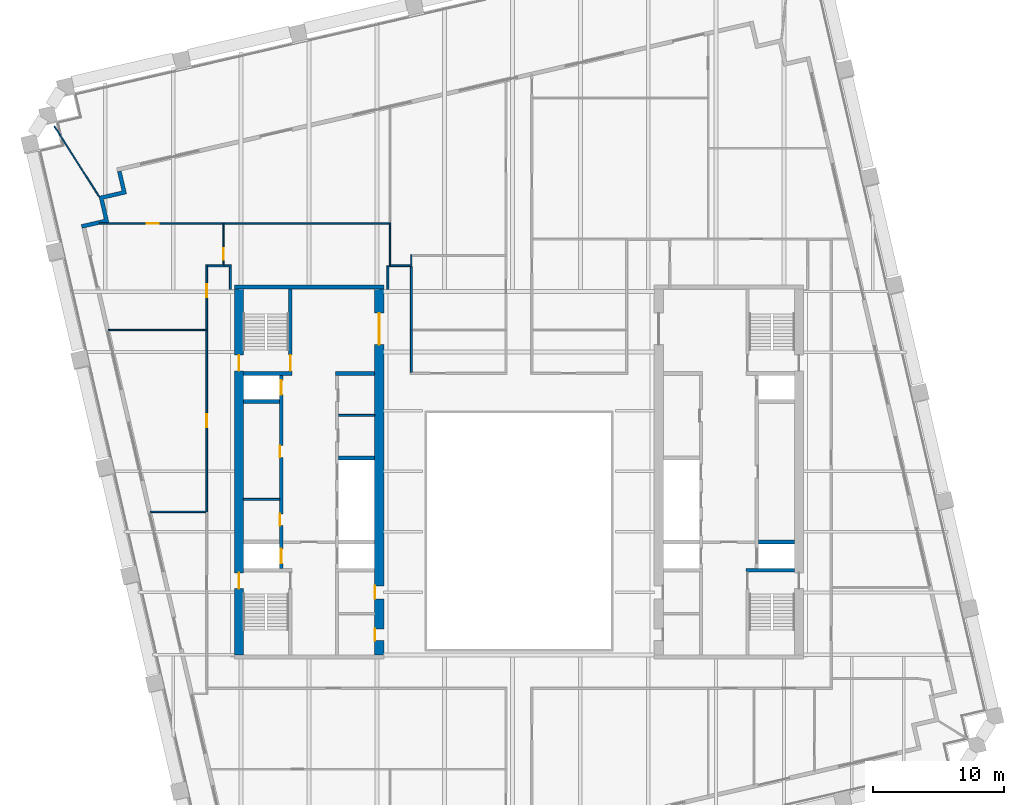
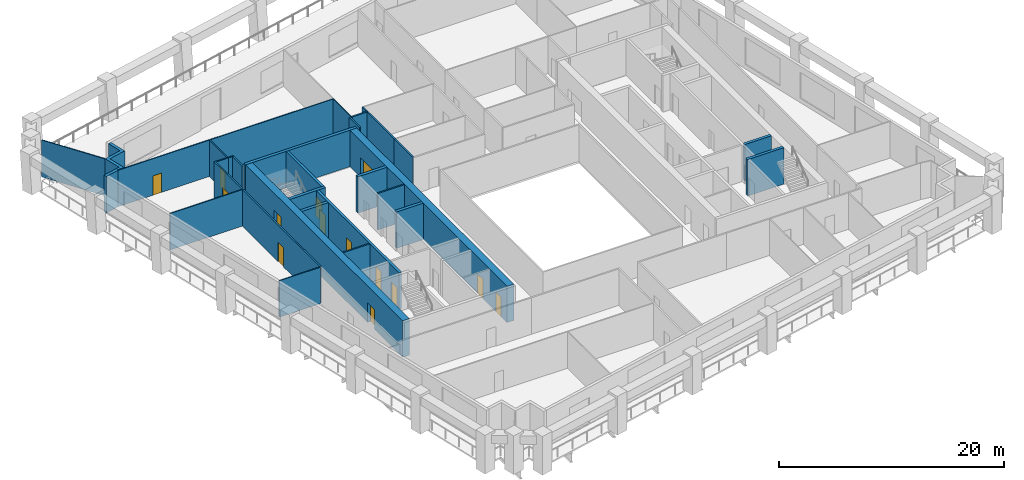
# One storey, part 6 of 11: 31 walls, 14 doors, 14 openings.
"""IFC4 building model written with IfcOpenShell, lengths in metres."""

from ifc_helpers import new_model, si_unit, direction, frame, frame_2d, origin, place, context, subcontext, project, spatial, polyline, rectangle, outline, extrude, material, layer, layer_set, type_object, element, fill, save


model = new_model("IFC4")

# Units and contexts
model_context = context("Model", 3, precision=1e-05, world=origin(), true_north=direction((0.0, 1.0)))
body_context = subcontext(model_context, "Body", "Model", "MODEL_VIEW")
ifc_project = project(units=[si_unit("LENGTHUNIT", "METRE"), si_unit("AREAUNIT", "SQUARE_METRE"), si_unit("VOLUMEUNIT", "CUBIC_METRE"), si_unit("PLANEANGLEUNIT", "RADIAN"), si_unit("MASSUNIT", "GRAM", prefix="KILO")], contexts=[model_context])

# Site, building, storey
site_placement = place(None, origin())
site = spatial("IfcSite", under=ifc_project, at=site_placement, CompositionType="ELEMENT")
building_placement = place(site_placement, origin())
building = spatial("IfcBuilding", under=site, at=building_placement, Name="Ogive Exchange Tower", CompositionType="ELEMENT")
storey_placement = place(building_placement, frame((0.0, 0.0, 217.800048828125)))
storey = spatial("IfcBuildingStorey", under=building, at=storey_placement, Name="L48", CompositionType="ELEMENT", Elevation=217.800048828125)

# Walls
ifc_material_1 = material(Name="Gypsum board partition")
ifc_layer_1 = layer(ifc_material_1, 0.14990234375)
ifc_layer_set_1 = layer_set([ifc_layer_1], Name="Core room partition 150 gypsum")
wall_type_1 = type_object("IfcWallType", Name="Core room partition 150 gypsum", PredefinedType="PARTITIONING", material=ifc_layer_set_1)
for number, where, z_axis, x_axis, name in (
    (1, (-21.0, 9.39990234375, 0.0), (0.0, 0.0, 1.0), (1.0, 0.0, 0.0), "W row A bay partition 1-1"),
    (2, (-13.75, 15.800048828125, 0.0), (0.0, 0.0, 1.0), (1.0, 0.0, 0.0), "W row B bay partition 4-1"),
):
    element("IfcWall", number, at=place(storey_placement, frame(where, z_axis=z_axis, x_axis=x_axis)), inside=storey, type_object=wall_type_1, Name=name, PredefinedType="PARTITIONING", context=body_context, shape_type="SweptSolid", body=[
        extrude(rectangle(XDim=2.75, YDim=0.14990234375, at=frame_2d((1.375, 0.0))), origin(), (0.0, 0.0, 1.0), 3.949951171875),
    ])
ifc_layer_2 = layer(ifc_material_1, 0.300048828125)
ifc_layer_set_2 = layer_set([ifc_layer_2], Name="Core room partition 300 gypsum")
wall_type_2 = type_object("IfcWallType", Name="Core room partition 300 gypsum", PredefinedType="PARTITIONING", material=ifc_layer_set_2)
wall_1_placement = place(storey_placement, frame((-14.0, 19.0, 0.0), z_axis=(0.0, 0.0, 1.0), x_axis=(1.0, 0.0, 0.0)))
element("IfcWall", 3, at=wall_1_placement, inside=storey, type_object=wall_type_2, Name="W row B room end wall 7", PredefinedType="PARTITIONING", context=body_context, shape_type="SweptSolid", body=[
    extrude(rectangle(XDim=3.0, YDim=0.300048828125, at=frame_2d((1.5, 0.0))), origin(), (0.0, 0.0, 1.0), 3.949951171875),
])

# Wall, opening, door
ifc_material_2 = material(Name="Fire partition EI 60 150")
ifc_layer_3 = layer(ifc_material_2, 0.14990234375)
ifc_layer_set_3 = layer_set([ifc_layer_3], Name="Fire partition EI 60 150")
wall_type_3 = type_object("IfcWallType", Name="Fire partition EI 60 150", PredefinedType="PARTITIONING", material=ifc_layer_set_3)
wall_2_placement = place(storey_placement, frame((-23.800048828125, 8.449951171875, 0.0), z_axis=(0.0, 0.0, 1.0), x_axis=(0.0, 1.0, 0.0)))
wall_2 = element("IfcWall", 4, at=wall_2_placement, inside=storey, type_object=wall_type_3, Name="L48-PWL-004", PredefinedType="PARTITIONING", context=body_context, shape_type="SweptSolid", body=[
    extrude(rectangle(XDim=13.81005859375, YDim=0.14990234375, at=frame_2d((6.905029296875, 0.0))), origin(), (0.0, 0.0, 1.0), 3.949951171875),
])
opening_1_placement = place(wall_2_placement, frame((6.4599609375, 0.0, 0.0)))
opening_1 = element("IfcOpeningElement", 5, at=opening_1_placement, cuts=wall_2, Name="Opening L48-I01", PredefinedType="OPENING", context=body_context, shape_type="SweptSolid", body=[
    extrude(rectangle(XDim=1.0, YDim=2.10009765625, at=frame_2d((0.5, 1.050048828125))), frame((0.0, 0.0849609375, 0.0), z_axis=(0.0, -1.0, 0.0), x_axis=(1.0, 0.0, 0.0)), (0.0, 0.0, 1.0), 0.169921875),
])
ifc_material_3 = material(Name="Fire door FD 30S 1000 x 2100")
door_type_1 = type_object("IfcDoorType", Name="Fire door FD 30S 1000 x 2100", OperationType="NOTDEFINED", PredefinedType="DOOR", material=ifc_material_3)
door_1_placement = place(opening_1_placement, origin())
door_1 = element("IfcDoor", 6, at=door_1_placement, inside=storey, type_object=door_type_1, Name="L48-IDR-001", ObjectType="DT3", OperationType="SINGLE_SWING_RIGHT", OverallHeight=2.10009765625, OverallWidth=1.0, PredefinedType="DOOR", context=body_context, shape_type="SweptSolid", body=[
    extrude(rectangle(XDim=1.0, YDim=2.10009765625, at=frame_2d((0.5, 1.050048828125))), frame((0.0, 0.02490234375, 0.0), z_axis=(0.0, -1.0, 0.0), x_axis=(1.0, 0.0, 0.0)), (0.0, 0.0, 1.0), 0.050048828125),
])
fill(opening_1, door_1)

wall_3_placement = place(storey_placement, frame((-23.800048828125, 22.360107421875, 0.0), z_axis=(0.0, 0.0, 1.0), x_axis=(0.0, 1.0, 0.0)))
wall_3 = element("IfcWall", 7, at=wall_3_placement, inside=storey, type_object=wall_type_3, Name="L48-PWL-005", PredefinedType="PARTITIONING", context=body_context, shape_type="SweptSolid", body=[
    extrude(rectangle(XDim=4.914794921875, YDim=0.14990234375, at=frame_2d((2.45751953125, 0.0))), origin(), (0.0, 0.0, 1.0), 3.949951171875),
])
opening_2_placement = place(wall_3_placement, frame((2.43994140625, 0.0, 0.0)))
opening_2 = element("IfcOpeningElement", 8, at=opening_2_placement, cuts=wall_3, Name="Opening L48-I07", PredefinedType="OPENING", context=body_context, shape_type="SweptSolid", body=[
    extrude(rectangle(XDim=1.0, YDim=2.10009765625, at=frame_2d((0.5, 1.050048828125))), frame((0.0, 0.0849609375, 0.0), z_axis=(0.0, -1.0, 0.0), x_axis=(1.0, 0.0, 0.0)), (0.0, 0.0, 1.0), 0.169921875),
])
door_2_placement = place(opening_2_placement, origin())
door_2 = element("IfcDoor", 9, at=door_2_placement, inside=storey, type_object=door_type_1, Name="L48-IDR-007", ObjectType="DT3", OperationType="SINGLE_SWING_RIGHT", OverallHeight=2.10009765625, OverallWidth=1.0, PredefinedType="DOOR", context=body_context, shape_type="SweptSolid", body=[
    extrude(rectangle(XDim=1.0, YDim=2.10009765625, at=frame_2d((0.5, 1.050048828125))), frame((0.0, 0.02490234375, 0.0), z_axis=(0.0, -1.0, 0.0), x_axis=(1.0, 0.0, 0.0)), (0.0, 0.0, 1.0), 0.050048828125),
])
fill(opening_2, door_2)

# Walls
wall_4_placement = place(storey_placement, frame((-23.72509765625, 27.199951171875, 0.0), z_axis=(0.0, 0.0, 1.0), x_axis=(1.0, 0.0, 0.0)))
element("IfcWall", 10, at=wall_4_placement, inside=storey, type_object=wall_type_3, Name="L48-PWL-006", PredefinedType="PARTITIONING", context=body_context, shape_type="SweptSolid", body=[
    extrude(rectangle(XDim=1.255126953125, YDim=0.14990234375, at=frame_2d((0.62744140625, 0.0))), origin(), (0.0, 0.0, 1.0), 3.949951171875),
])
wall_5_placement = place(storey_placement, frame((-22.469970703125, 27.199951171875, 0.0), z_axis=(0.0, 0.0, 1.0), x_axis=(1.0, 0.0, 0.0)))
element("IfcWall", 11, at=wall_5_placement, inside=storey, type_object=wall_type_3, Name="L48-PWL-010", PredefinedType="PARTITIONING", context=body_context, shape_type="SweptSolid", body=[
    extrude(rectangle(XDim=0.544921875, YDim=0.14990234375, at=frame_2d((0.2724609375, 0.0))), origin(), (0.0, 0.0, 1.0), 3.949951171875),
])
wall_6_placement = place(storey_placement, frame((-22.0, 27.125, 0.0), z_axis=(0.0, 0.0, 1.0), x_axis=(0.0, -1.0, 0.0)))
element("IfcWall", 12, at=wall_6_placement, inside=storey, type_object=wall_type_3, Name="L48-PWL-012", PredefinedType="PARTITIONING", context=body_context, shape_type="SweptSolid", body=[
    extrude(rectangle(XDim=1.72509765625, YDim=0.14990234375, at=frame_2d((0.862548828125, 0.0))), origin(), (0.0, 0.0, 1.0), 3.949951171875),
])
wall_7_placement = place(storey_placement, frame((-10.0, 25.39990234375, 0.0), z_axis=(0.0, 0.0, 1.0), x_axis=(0.0, 1.0, 0.0)))
element("IfcWall", 13, at=wall_7_placement, inside=storey, type_object=wall_type_3, Name="L48-PWL-014", PredefinedType="PARTITIONING", context=body_context, shape_type="SweptSolid", body=[
    extrude(rectangle(XDim=1.800048828125, YDim=0.14990234375, at=frame_2d((0.89990234375, 0.0))), origin(), (0.0, 0.0, 1.0), 3.949951171875),
])
wall_8_placement = place(storey_placement, frame((-9.780029296875, 27.2099609375, 0.0), z_axis=(0.0, 0.0, 1.0), x_axis=(1.0, 0.0, 0.0)))
element("IfcWall", 14, at=wall_8_placement, inside=storey, type_object=wall_type_3, Name="L48-PWL-018", PredefinedType="PARTITIONING", context=body_context, shape_type="SweptSolid", body=[
    extrude(rectangle(XDim=1.6201171875, YDim=0.14990234375, at=frame_2d((0.81005859375, 0.0))), origin(), (0.0, 0.0, 1.0), 3.949951171875),
])
wall_9_placement = place(storey_placement, frame((-8.199951171875, 22.31005859375, 0.0), z_axis=(0.0, 0.0, 1.0), x_axis=(0.0, -1.0, 0.0)))
element("IfcWall", 15, at=wall_9_placement, inside=storey, type_object=wall_type_3, Name="L48-PWL-024", PredefinedType="PARTITIONING", context=body_context, shape_type="SweptSolid", body=[
    extrude(rectangle(XDim=3.235107421875, YDim=0.14990234375, at=frame_2d((1.61767578125, 0.0))), origin(), (0.0, 0.0, 1.0), 3.949951171875),
])
wall_10_placement = place(storey_placement, frame((-8.199951171875, 27.125, 0.0), z_axis=(0.0, 0.0, 1.0), x_axis=(0.0, -1.0, 0.0)))
element("IfcWall", 16, at=wall_10_placement, inside=storey, type_object=wall_type_3, Name="L48-PWL-026", PredefinedType="PARTITIONING", context=body_context, shape_type="SweptSolid", body=[
    extrude(rectangle(XDim=4.81494140625, YDim=0.14990234375, at=frame_2d((2.407470703125, 0.0))), origin(), (0.0, 0.0, 1.0), 3.949951171875),
])
ifc_material_4 = material(Name="Precast concrete C40/50", Category="concrete")
ifc_layer_4 = layer(ifc_material_4, 0.300048828125)
ifc_layer_set_4 = layer_set([ifc_layer_4], Name="Limestone-faced wall 300")
wall_type_4 = type_object("IfcWallType", Name="Limestone-faced wall 300", PredefinedType="STANDARD", material=ifc_layer_set_4)
wall_11_placement = place(storey_placement, origin())
element("IfcWall", 17, at=wall_11_placement, inside=storey, type_object=wall_type_4, Name="External corner wall C3", PredefinedType="STANDARD", context=body_context, shape_type="SweptSolid", body=[
    extrude(outline(polyline([(-31.616943359375, 30.755615234375), (-32.02197265625, 32.509521484375), (-30.26806640625, 32.914306640625), (-30.60546875, 34.3759765625), (-30.31298828125, 34.443359375), (-29.908203125, 32.689697265625), (-31.662109375, 32.28466796875), (-31.257080078125, 30.53076171875), (-33.30322265625, 30.058349609375), (-33.370849609375, 30.3505859375), (-31.616943359375, 30.755615234375)])), origin(), (0.0, 0.0, 1.0), 3.949951171875),
])
ifc_material_5 = material(Name="Laminated safety glass in steel frame", Category="steel")
ifc_layer_5 = layer(ifc_material_5, 0.10009765625)
ifc_layer_set_5 = layer_set([ifc_layer_5], Name="Loggia end screen 100")
wall_type_5 = type_object("IfcWallType", Name="Loggia end screen 100", PredefinedType="STANDARD", material=ifc_layer_set_5)
wall_12_placement = place(storey_placement, frame((-32.02197265625, 32.509521484375, -0.050048828125), z_axis=(0.0, 0.0, 1.0), x_axis=(-0.536925404668, 0.843629723174, 0.0)))
element("IfcWall", 18, at=wall_12_placement, inside=storey, type_object=wall_type_5, Name="Loggia end screen C3", PredefinedType="STANDARD", context=body_context, shape_type="SweptSolid", body=[
    extrude(rectangle(XDim=6.329833984375, YDim=0.10009765625, at=frame_2d((3.1650390625, 0.0))), origin(), (0.0, 0.0, 1.0), 4.0),
])
ifc_material_6 = material(Name="Partition 100 gypsum")
ifc_layer_6 = layer(ifc_material_6, 0.10009765625)
ifc_layer_set_6 = layer_set([ifc_layer_6], Name="Partition 100 gypsum")
wall_type_6 = type_object("IfcWallType", Name="Partition 100 gypsum", PredefinedType="PARTITIONING", material=ifc_layer_set_6)
wall_13_placement = place(storey_placement, frame((-31.2890625, 22.31005859375, 0.0), z_axis=(0.0, 0.0, 1.0), x_axis=(1.0, 0.0, 0.0)))
element("IfcWall", 19, at=wall_13_placement, inside=storey, type_object=wall_type_6, Name="L48-PWL-001", PredefinedType="PARTITIONING", context=body_context, shape_type="SweptSolid", body=[
    extrude(rectangle(XDim=7.56396484375, YDim=0.10009765625, at=frame_2d((3.781982421875, 0.0))), origin(), (0.0, 0.0, 1.0), 3.949951171875),
])
wall_14_placement = place(storey_placement, frame((-23.875, 8.449951171875, 0.0), z_axis=(0.0, 0.0, 1.0), x_axis=(-1.0, 0.0, 0.0)))
element("IfcWall", 20, at=wall_14_placement, inside=storey, type_object=wall_type_6, Name="L48-PWL-003", PredefinedType="PARTITIONING", context=body_context, shape_type="SweptSolid", body=[
    extrude(rectangle(XDim=4.214111328125, YDim=0.10009765625, at=frame_2d((2.10693359375, 0.0))), origin(), (0.0, 0.0, 1.0), 3.949951171875),
])

# Wall, opening, door
wall_15_placement = place(storey_placement, frame((-22.52001953125, 27.27490234375, 0.0), z_axis=(0.0, 0.0, 1.0), x_axis=(0.0, 1.0, 0.0)))
wall_15 = element("IfcWall", 21, at=wall_15_placement, inside=storey, type_object=wall_type_6, Name="L48-PWL-009", PredefinedType="PARTITIONING", context=body_context, shape_type="SweptSolid", body=[
    extrude(rectangle(XDim=3.195068359375, YDim=0.10009765625, at=frame_2d((1.59765625, 0.0))), origin(), (0.0, 0.0, 1.0), 3.949951171875),
])
opening_3_placement = place(wall_15_placement, frame((0.375, 0.0, 0.0)))
opening_3 = element("IfcOpeningElement", 22, at=opening_3_placement, cuts=wall_15, Name="Opening L48-I06", PredefinedType="OPENING", context=body_context, shape_type="SweptSolid", body=[
    extrude(rectangle(XDim=0.89990234375, YDim=2.10009765625, at=frame_2d((0.449951171875, 1.050048828125))), frame((0.0, 0.06005859375, 0.0), z_axis=(0.0, -1.0, 0.0), x_axis=(1.0, 0.0, 0.0)), (0.0, 0.0, 1.0), 0.1201171875),
])
ifc_material_7 = material(Name="Door 900 x 2100")
door_type_2 = type_object("IfcDoorType", Name="Door 900 x 2100", OperationType="NOTDEFINED", PredefinedType="DOOR", material=ifc_material_7)
door_3_placement = place(opening_3_placement, frame((0.89990234375, 0.0, 0.0), z_axis=(0.0, 0.0, 1.0), x_axis=(-1.0, 0.0, 0.0)))
door_3 = element("IfcDoor", 23, at=door_3_placement, inside=storey, type_object=door_type_2, Name="L48-IDR-006", ObjectType="DT1", OperationType="SINGLE_SWING_LEFT", OverallHeight=2.10009765625, OverallWidth=0.89990234375, PredefinedType="DOOR", context=body_context, shape_type="SweptSolid", body=[
    extrude(rectangle(XDim=0.89990234375, YDim=2.10009765625, at=frame_2d((0.449951171875, 1.050048828125))), frame((0.0, 0.02490234375, 0.0), z_axis=(0.0, -1.0, 0.0), x_axis=(1.0, 0.0, 0.0)), (0.0, 0.0, 1.0), 0.050048828125),
])
fill(opening_3, door_3)

wall_16_placement = place(storey_placement, frame((-22.570068359375, 30.419921875, 0.0), z_axis=(0.0, 0.0, 1.0), x_axis=(-1.0, 0.0, 0.0)))
wall_16 = element("IfcWall", 24, at=wall_16_placement, inside=storey, type_object=wall_type_6, Name="L48-PWL-011", PredefinedType="PARTITIONING", context=body_context, shape_type="SweptSolid", body=[
    extrude(rectangle(XDim=9.411865234375, YDim=0.10009765625, at=frame_2d((4.7060546875, 0.0))), origin(), (0.0, 0.0, 1.0), 3.949951171875),
])
opening_4_placement = place(wall_16_placement, frame((4.89990234375, 0.0, 0.0)))
opening_4 = element("IfcOpeningElement", 25, at=opening_4_placement, cuts=wall_16, Name="Opening L48-I05", PredefinedType="OPENING", context=body_context, shape_type="SweptSolid", body=[
    extrude(rectangle(XDim=0.89990234375, YDim=2.10009765625, at=frame_2d((0.449951171875, 1.050048828125))), frame((0.0, 0.06005859375, 0.0), z_axis=(0.0, -1.0, 0.0), x_axis=(1.0, 0.0, 0.0)), (0.0, 0.0, 1.0), 0.1201171875),
])
door_4_placement = place(opening_4_placement, origin())
door_4 = element("IfcDoor", 26, at=door_4_placement, inside=storey, type_object=door_type_2, Name="L48-IDR-005", ObjectType="DT1", OperationType="SINGLE_SWING_LEFT", OverallHeight=2.10009765625, OverallWidth=0.89990234375, PredefinedType="DOOR", context=body_context, shape_type="SweptSolid", body=[
    extrude(rectangle(XDim=0.89990234375, YDim=2.10009765625, at=frame_2d((0.449951171875, 1.050048828125))), frame((0.0, 0.02490234375, 0.0), z_axis=(0.0, -1.0, 0.0), x_axis=(1.0, 0.0, 0.0)), (0.0, 0.0, 1.0), 0.050048828125),
])
fill(opening_4, door_4)

# Walls
wall_17_placement = place(storey_placement, frame((-9.830078125, 27.135009765625, 0.0), z_axis=(0.0, 0.0, 1.0), x_axis=(0.0, 1.0, 0.0)))
element("IfcWall", 27, at=wall_17_placement, inside=storey, type_object=wall_type_6, Name="L48-PWL-017", PredefinedType="PARTITIONING", context=body_context, shape_type="SweptSolid", body=[
    extrude(rectangle(XDim=3.3349609375, YDim=0.10009765625, at=frame_2d((1.66748046875, 0.0))), origin(), (0.0, 0.0, 1.0), 3.949951171875),
])
wall_18_placement = place(storey_placement, frame((-9.8798828125, 30.419921875, 0.0), z_axis=(0.0, 0.0, 1.0), x_axis=(-1.0, 0.0, 0.0)))
element("IfcWall", 28, at=wall_18_placement, inside=storey, type_object=wall_type_6, Name="L48-PWL-019", PredefinedType="PARTITIONING", context=body_context, shape_type="SweptSolid", body=[
    extrude(rectangle(XDim=12.590087890625, YDim=0.10009765625, at=frame_2d((6.294921875, 0.0))), origin(), (0.0, 0.0, 1.0), 3.949951171875),
])
wall_19_placement = place(storey_placement, frame((-8.2099609375, 27.284912109375, 0.0), z_axis=(0.0, 0.0, 1.0), x_axis=(0.0, 1.0, 0.0)))
element("IfcWall", 29, at=wall_19_placement, inside=storey, type_object=wall_type_6, Name="L48-PWL-021", PredefinedType="PARTITIONING", context=body_context, shape_type="SweptSolid", body=[
    extrude(rectangle(XDim=0.76513671875, YDim=0.10009765625, at=frame_2d((0.382568359375, 0.0))), origin(), (0.0, 0.0, 1.0), 3.949951171875),
])

# Wall, opening, door
ifc_material_8 = material(Name="Concrete C70/85", Category="concrete")
ifc_layer_7 = layer(ifc_material_8, 0.25)
ifc_layer_set_7 = layer_set([ifc_layer_7], Name="RC core wall 250 C70/85")
wall_type_7 = type_object("IfcWallType", Name="RC core wall 250 C70/85", PredefinedType="SHEAR", material=ifc_layer_set_7)
wall_20_placement = place(storey_placement, frame((-17.425048828125, 19.14990234375, 0.0), z_axis=(0.0, 0.0, 1.0), x_axis=(0.0, 1.0, 0.0)))
wall_20 = element("IfcWall", 30, at=wall_20_placement, inside=storey, type_object=wall_type_7, Name="W stair N front wall", PredefinedType="SHEAR", context=body_context, shape_type="SweptSolid", body=[
    extrude(rectangle(XDim=6.300048828125, YDim=0.25, at=frame_2d((3.14990234375, 0.0))), origin(), (0.0, 0.0, 1.0), 3.949951171875),
])
opening_5_placement = place(wall_20_placement, frame((0.050048828125, 0.0, 0.0)))
opening_5 = element("IfcOpeningElement", 31, at=opening_5_placement, cuts=wall_20, Name="Opening L48-C15", PredefinedType="OPENING", context=body_context, shape_type="SweptSolid", body=[
    extrude(rectangle(XDim=1.199951171875, YDim=2.10009765625, at=frame_2d((0.60009765625, 1.050048828125))), frame((0.0, 0.135009765625, 0.0), z_axis=(0.0, -1.0, 0.0), x_axis=(1.0, 0.0, 0.0)), (0.0, 0.0, 1.0), 0.27001953125),
])
ifc_material_9 = material(Name="Steel fire door", Category="steel")
door_type_3 = type_object("IfcDoorType", Name="Stair door FD90 1200 x 2100", OperationType="NOTDEFINED", PredefinedType="DOOR", material=ifc_material_9)
door_5_placement = place(opening_5_placement, origin())
door_5 = element("IfcDoor", 32, at=door_5_placement, inside=storey, type_object=door_type_3, Name="Stair door", ObjectType="CD5", OperationType="SINGLE_SWING_RIGHT", OverallHeight=2.10009765625, OverallWidth=1.199951171875, PredefinedType="DOOR", context=body_context, shape_type="SweptSolid", body=[
    extrude(rectangle(XDim=1.199951171875, YDim=2.10009765625, at=frame_2d((0.60009765625, 1.050048828125))), frame((0.0, 0.02490234375, 0.0), z_axis=(0.0, -1.0, 0.0), x_axis=(1.0, 0.0, 0.0)), (0.0, 0.0, 1.0), 0.050048828125),
])
fill(opening_5, door_5)

# Wall, openings, doors
wall_21_placement = place(storey_placement, frame((-18.125, 4.14990234375, 0.0), z_axis=(0.0, 0.0, 1.0), x_axis=(0.0, 1.0, 0.0)))
wall_21 = element("IfcWall", 33, at=wall_21_placement, inside=storey, type_object=wall_type_7, Name="W row A front wall", PredefinedType="SHEAR", context=body_context, shape_type="SweptSolid", body=[
    extrude(rectangle(XDim=14.7001953125, YDim=0.25, at=frame_2d((7.35009765625, 0.0))), origin(), (0.0, 0.0, 1.0), 3.949951171875),
])
opening_6_placement = place(wall_21_placement, frame((3.246337890625, 0.0, 0.0)))
opening_6 = element("IfcOpeningElement", 34, at=opening_6_placement, cuts=wall_21, Name="Opening L48-C01", PredefinedType="OPENING", context=body_context, shape_type="SweptSolid", body=[
    extrude(rectangle(XDim=0.89990234375, YDim=2.10009765625, at=frame_2d((0.449951171875, 1.050048828125))), frame((0.0, 0.135009765625, 0.0), z_axis=(0.0, -1.0, 0.0), x_axis=(1.0, 0.0, 0.0)), (0.0, 0.0, 1.0), 0.27001953125),
])
opening_7_placement = place(wall_21_placement, frame((8.45361328125, 0.0, 0.0)))
opening_7 = element("IfcOpeningElement", 35, at=opening_7_placement, cuts=wall_21, Name="Opening L48-C02", PredefinedType="OPENING", context=body_context, shape_type="SweptSolid", body=[
    extrude(rectangle(XDim=0.89990234375, YDim=2.10009765625, at=frame_2d((0.449951171875, 1.050048828125))), frame((0.0, 0.135009765625, 0.0), z_axis=(0.0, -1.0, 0.0), x_axis=(1.0, 0.0, 0.0)), (0.0, 0.0, 1.0), 0.27001953125),
])
opening_8_placement = place(wall_21_placement, frame((0.371337890625, 0.0, 0.0)))
opening_8 = element("IfcOpeningElement", 36, at=opening_8_placement, cuts=wall_21, Name="Opening L48-C03", PredefinedType="OPENING", context=body_context, shape_type="SweptSolid", body=[
    extrude(rectangle(XDim=1.10009765625, YDim=2.10009765625, at=frame_2d((0.550048828125, 1.050048828125))), frame((0.0, 0.135009765625, 0.0), z_axis=(0.0, -1.0, 0.0), x_axis=(1.0, 0.0, 0.0)), (0.0, 0.0, 1.0), 0.27001953125),
])
opening_9_placement = place(wall_21_placement, frame((13.228515625, 0.0, 0.0)))
opening_9 = element("IfcOpeningElement", 37, at=opening_9_placement, cuts=wall_21, Name="Opening L48-C04", PredefinedType="OPENING", context=body_context, shape_type="SweptSolid", body=[
    extrude(rectangle(XDim=1.10009765625, YDim=2.10009765625, at=frame_2d((0.550048828125, 1.050048828125))), frame((0.0, 0.135009765625, 0.0), z_axis=(0.0, -1.0, 0.0), x_axis=(1.0, 0.0, 0.0)), (0.0, 0.0, 1.0), 0.27001953125),
])
ifc_material_10 = material(Name="Stainless steel", Category="steel")
door_type_4 = type_object("IfcDoorType", Name="Lift landing door FD90 1100 x 2100", OperationType="SLIDING_TO_LEFT", PredefinedType="DOOR", material=ifc_material_10)
door_6_placement = place(opening_8_placement, origin())
door_6 = element("IfcDoor", 38, at=door_6_placement, inside=storey, type_object=door_type_4, Name="Lift landing door FF1", ObjectType="LD", OperationType="SLIDING_TO_LEFT", OverallHeight=2.10009765625, OverallWidth=1.10009765625, PredefinedType="DOOR", context=body_context, shape_type="SweptSolid", body=[
    extrude(rectangle(XDim=1.10009765625, YDim=2.10009765625, at=frame_2d((0.550048828125, 1.050048828125))), frame((0.0, 0.02490234375, 0.0), z_axis=(0.0, -1.0, 0.0), x_axis=(1.0, 0.0, 0.0)), (0.0, 0.0, 1.0), 0.050048828125),
])
fill(opening_8, door_6)
door_7_placement = place(opening_9_placement, origin())
door_7 = element("IfcDoor", 39, at=door_7_placement, inside=storey, type_object=door_type_4, Name="Lift landing door W-SH2", ObjectType="LD", OperationType="SLIDING_TO_LEFT", OverallHeight=2.10009765625, OverallWidth=1.10009765625, PredefinedType="DOOR", context=body_context, shape_type="SweptSolid", body=[
    extrude(rectangle(XDim=1.10009765625, YDim=2.10009765625, at=frame_2d((0.550048828125, 1.050048828125))), frame((0.0, 0.02490234375, 0.0), z_axis=(0.0, -1.0, 0.0), x_axis=(1.0, 0.0, 0.0)), (0.0, 0.0, 1.0), 0.050048828125),
])
fill(opening_9, door_7)
door_type_5 = type_object("IfcDoorType", Name="Riser door FD60 900 x 2100", OperationType="NOTDEFINED", PredefinedType="DOOR", material=ifc_material_9)
door_8_placement = place(opening_6_placement, origin())
door_8 = element("IfcDoor", 40, at=door_8_placement, inside=storey, type_object=door_type_5, Name="Riser door", ObjectType="CD2", OperationType="SINGLE_SWING_RIGHT", OverallHeight=2.10009765625, OverallWidth=0.89990234375, PredefinedType="DOOR", context=body_context, shape_type="SweptSolid", body=[
    extrude(rectangle(XDim=0.89990234375, YDim=2.10009765625, at=frame_2d((0.449951171875, 1.050048828125))), frame((0.0, 0.125, 0.0), z_axis=(0.0, -1.0, 0.0), x_axis=(1.0, 0.0, 0.0)), (0.0, 0.0, 1.0), 0.050048828125),
])
fill(opening_6, door_8)
door_9_placement = place(opening_7_placement, origin())
door_9 = element("IfcDoor", 41, at=door_9_placement, inside=storey, type_object=door_type_5, Name="Riser door", ObjectType="CD2", OperationType="SINGLE_SWING_RIGHT", OverallHeight=2.10009765625, OverallWidth=0.89990234375, PredefinedType="DOOR", context=body_context, shape_type="SweptSolid", body=[
    extrude(rectangle(XDim=0.89990234375, YDim=2.10009765625, at=frame_2d((0.449951171875, 1.050048828125))), frame((0.0, 0.125, 0.0), z_axis=(0.0, -1.0, 0.0), x_axis=(1.0, 0.0, 0.0)), (0.0, 0.0, 1.0), 0.050048828125),
])
fill(opening_7, door_9)

# Walls
ifc_layer_8 = layer(ifc_material_8, 0.300048828125)
ifc_layer_set_8 = layer_set([ifc_layer_8], Name="RC core wall 300 C70/85")
wall_type_8 = type_object("IfcWallType", Name="RC core wall 300 C70/85", PredefinedType="SHEAR", material=ifc_layer_set_8)
wall_22_placement = place(storey_placement, frame((-21.699951171875, 25.60009765625, 0.0), z_axis=(0.0, 0.0, 1.0), x_axis=(1.0, 0.0, 0.0)))
element("IfcWall", 42, at=wall_22_placement, inside=storey, type_object=wall_type_8, Name="W north end wall", PredefinedType="SHEAR", context=body_context, shape_type="SweptSolid", body=[
    extrude(rectangle(XDim=11.39990234375, YDim=0.300048828125, at=frame_2d((5.699951171875, 0.0))), origin(), (0.0, 0.0, 1.0), 3.949951171875),
])
wall_23_placement = place(storey_placement, frame((-21.0, 19.0, 0.0), z_axis=(0.0, 0.0, 1.0), x_axis=(1.0, 0.0, 0.0)))
element("IfcWall", 43, at=wall_23_placement, inside=storey, type_object=wall_type_8, Name="W stair N south wall", PredefinedType="SHEAR", context=body_context, shape_type="SweptSolid", body=[
    extrude(rectangle(XDim=3.699951171875, YDim=0.300048828125, at=frame_2d((1.85009765625, 0.0))), origin(), (0.0, 0.0, 1.0), 3.949951171875),
])
for number, where, z_axis, x_axis, name in (
    (44, (-21.0, 16.857177734375, 0.0), (0.0, 0.0, 1.0), (1.0, 0.0, 0.0), "W row A divider 6"),
    (45, (-13.75, 12.5712890625, 0.0), (0.0, 0.0, 1.0), (1.0, 0.0, 0.0), "W row B divider 4"),
):
    element("IfcWall", number, at=place(storey_placement, frame(where, z_axis=z_axis, x_axis=x_axis)), inside=storey, type_object=wall_type_8, Name=name, PredefinedType="SHEAR", context=body_context, shape_type="SweptSolid", body=[
        extrude(rectangle(XDim=2.75, YDim=0.300048828125, at=frame_2d((1.375, 0.0))), origin(), (0.0, 0.0, 1.0), 3.949951171875),
    ])
wall_24_placement = place(storey_placement, frame((17.300048828125, 4.0, 0.0), z_axis=(0.0, 0.0, 1.0), x_axis=(1.0, 0.0, 0.0)))
element("IfcWall", 46, at=wall_24_placement, inside=storey, type_object=wall_type_8, Name="E stair S north wall", PredefinedType="SHEAR", context=body_context, shape_type="SweptSolid", body=[
    extrude(rectangle(XDim=3.699951171875, YDim=0.300048828125, at=frame_2d((1.85009765625, 0.0))), origin(), (0.0, 0.0, 1.0), 3.949951171875),
])
wall_25_placement = place(storey_placement, frame((18.25, 6.142822265625, 0.0), z_axis=(0.0, 0.0, 1.0), x_axis=(1.0, 0.0, 0.0)))
element("IfcWall", 47, at=wall_25_placement, inside=storey, type_object=wall_type_8, Name="E row A divider 1", PredefinedType="SHEAR", context=body_context, shape_type="SweptSolid", body=[
    extrude(rectangle(XDim=2.75, YDim=0.300048828125, at=frame_2d((1.375, 0.0))), origin(), (0.0, 0.0, 1.0), 3.949951171875),
])

# Wall, openings, doors
ifc_layer_9 = layer(ifc_material_8, 0.699951171875)
ifc_layer_set_9 = layer_set([ifc_layer_9], Name="RC core wall 700 C70/85")
wall_type_9 = type_object("IfcWallType", Name="RC core wall 700 C70/85", PredefinedType="SHEAR", material=ifc_layer_set_9)
wall_26_placement = place(storey_placement, frame((-21.35009765625, -2.449951171875, 0.0), z_axis=(0.0, 0.0, 1.0), x_axis=(0.0, 1.0, 0.0)))
wall_26 = element("IfcWall", 48, at=wall_26_placement, inside=storey, type_object=wall_type_9, Name="W outer wall", PredefinedType="SHEAR", context=body_context, shape_type="SweptSolid", body=[
    extrude(rectangle(XDim=27.89990234375, YDim=0.699951171875, at=frame_2d((13.949951171875, 0.0))), origin(), (0.0, 0.0, 1.0), 3.949951171875),
])
opening_10_placement = place(wall_26_placement, frame((5.050048828125, 0.0, 0.0)))
opening_10 = element("IfcOpeningElement", 49, at=opening_10_placement, cuts=wall_26, Name="Opening L48-C14", PredefinedType="OPENING", context=body_context, shape_type="SweptSolid", body=[
    extrude(rectangle(XDim=1.199951171875, YDim=2.10009765625, at=frame_2d((0.60009765625, 1.050048828125))), frame((0.0, 0.35986328125, 0.0), z_axis=(0.0, -1.0, 0.0), x_axis=(1.0, 0.0, 0.0)), (0.0, 0.0, 1.0), 0.719970703125),
])
opening_11_placement = place(wall_26_placement, frame((21.64990234375, 0.0, 0.0)))
opening_11 = element("IfcOpeningElement", 50, at=opening_11_placement, cuts=wall_26, Name="Opening L48-C16", PredefinedType="OPENING", context=body_context, shape_type="SweptSolid", body=[
    extrude(rectangle(XDim=1.199951171875, YDim=2.10009765625, at=frame_2d((0.60009765625, 1.050048828125))), frame((0.0, 0.35986328125, 0.0), z_axis=(0.0, -1.0, 0.0), x_axis=(1.0, 0.0, 0.0)), (0.0, 0.0, 1.0), 0.719970703125),
])
door_10_placement = place(opening_10_placement, frame((1.199951171875, 0.0, 0.0), z_axis=(0.0, 0.0, 1.0), x_axis=(-1.0, 0.0, 0.0)))
door_10 = element("IfcDoor", 51, at=door_10_placement, inside=storey, type_object=door_type_3, Name="Stair door", ObjectType="CD5", OperationType="SINGLE_SWING_RIGHT", OverallHeight=2.10009765625, OverallWidth=1.199951171875, PredefinedType="DOOR", context=body_context, shape_type="SweptSolid", body=[
    extrude(rectangle(XDim=1.199951171875, YDim=2.10009765625, at=frame_2d((0.60009765625, 1.050048828125))), frame((0.0, 0.02490234375, 0.0), z_axis=(0.0, -1.0, 0.0), x_axis=(1.0, 0.0, 0.0)), (0.0, 0.0, 1.0), 0.050048828125),
])
fill(opening_10, door_10)
door_11_placement = place(opening_11_placement, frame((1.199951171875, 0.0, 0.0), z_axis=(0.0, 0.0, 1.0), x_axis=(-1.0, 0.0, 0.0)))
door_11 = element("IfcDoor", 52, at=door_11_placement, inside=storey, type_object=door_type_3, Name="Stair door", ObjectType="CD5", OperationType="SINGLE_SWING_LEFT", OverallHeight=2.10009765625, OverallWidth=1.199951171875, PredefinedType="DOOR", context=body_context, shape_type="SweptSolid", body=[
    extrude(rectangle(XDim=1.199951171875, YDim=2.10009765625, at=frame_2d((0.60009765625, 1.050048828125))), frame((0.0, 0.02490234375, 0.0), z_axis=(0.0, -1.0, 0.0), x_axis=(1.0, 0.0, 0.0)), (0.0, 0.0, 1.0), 0.050048828125),
])
fill(opening_11, door_11)

wall_27_placement = place(storey_placement, frame((-10.64990234375, -2.449951171875, 0.0), z_axis=(0.0, 0.0, 1.0), x_axis=(0.0, 1.0, 0.0)))
wall_27 = element("IfcWall", 53, at=wall_27_placement, inside=storey, type_object=wall_type_9, Name="W inner wall", PredefinedType="SHEAR", context=body_context, shape_type="SweptSolid", body=[
    extrude(rectangle(XDim=27.89990234375, YDim=0.699951171875, at=frame_2d((13.949951171875, 0.0))), origin(), (0.0, 0.0, 1.0), 3.949951171875),
])
opening_12_placement = place(wall_27_placement, frame((23.64990234375, 0.0, 0.0)))
opening_12 = element("IfcOpeningElement", 54, at=opening_12_placement, cuts=wall_27, Name="Opening L48-C12", PredefinedType="OPENING", context=body_context, shape_type="SweptSolid", body=[
    extrude(rectangle(XDim=2.39990234375, YDim=2.10009765625, at=frame_2d((1.199951171875, 1.050048828125))), frame((0.0, 0.35986328125, 0.0), z_axis=(0.0, -1.0, 0.0), x_axis=(1.0, 0.0, 0.0)), (0.0, 0.0, 1.0), 0.719970703125),
])
opening_13_placement = place(wall_27_placement, frame((1.08740234375, 0.0, 0.0)))
opening_13 = element("IfcOpeningElement", 55, at=opening_13_placement, cuts=wall_27, Name="Opening L48-C17", PredefinedType="OPENING", context=body_context, shape_type="SweptSolid", body=[
    extrude(rectangle(XDim=0.89990234375, YDim=2.10009765625, at=frame_2d((0.449951171875, 1.050048828125))), frame((0.0, 0.35986328125, 0.0), z_axis=(0.0, -1.0, 0.0), x_axis=(1.0, 0.0, 0.0)), (0.0, 0.0, 1.0), 0.719970703125),
])
opening_14_placement = place(wall_27_placement, frame((4.262451171875, 0.0, 0.0)))
opening_14 = element("IfcOpeningElement", 56, at=opening_14_placement, cuts=wall_27, Name="Opening L48-C18", PredefinedType="OPENING", context=body_context, shape_type="SweptSolid", body=[
    extrude(rectangle(XDim=1.0, YDim=2.10009765625, at=frame_2d((0.5, 1.050048828125))), frame((0.0, 0.35986328125, 0.0), z_axis=(0.0, -1.0, 0.0), x_axis=(1.0, 0.0, 0.0)), (0.0, 0.0, 1.0), 0.719970703125),
])
ifc_material_11 = material(Name="Timber fire door", Category="wood")
door_type_6 = type_object("IfcDoorType", Name="Accessible WC door FD30S 1000 x 2100", OperationType="NOTDEFINED", PredefinedType="DOOR", material=ifc_material_11)
door_12_placement = place(opening_14_placement, origin())
door_12 = element("IfcDoor", 57, at=door_12_placement, inside=storey, type_object=door_type_6, Name="Accessible WC door", ObjectType="CD7", OperationType="SINGLE_SWING_LEFT", OverallHeight=2.10009765625, OverallWidth=1.0, PredefinedType="DOOR", context=body_context, shape_type="SweptSolid", body=[
    extrude(rectangle(XDim=1.0, YDim=2.10009765625, at=frame_2d((0.5, 1.050048828125))), frame((0.0, 0.35009765625, 0.0), z_axis=(0.0, -1.0, 0.0), x_axis=(1.0, 0.0, 0.0)), (0.0, 0.0, 1.0), 0.050048828125),
])
fill(opening_14, door_12)
door_type_7 = type_object("IfcDoorType", Name="Core room door FD30S 900 x 2100", OperationType="NOTDEFINED", PredefinedType="DOOR", material=ifc_material_11)
door_13_placement = place(opening_13_placement, origin())
door_13 = element("IfcDoor", 58, at=door_13_placement, inside=storey, type_object=door_type_7, Name="Core room door", ObjectType="CD6", OperationType="SINGLE_SWING_RIGHT", OverallHeight=2.10009765625, OverallWidth=0.89990234375, PredefinedType="DOOR", context=body_context, shape_type="SweptSolid", body=[
    extrude(rectangle(XDim=0.89990234375, YDim=2.10009765625, at=frame_2d((0.449951171875, 1.050048828125))), frame((0.0, 0.35009765625, 0.0), z_axis=(0.0, -1.0, 0.0), x_axis=(1.0, 0.0, 0.0)), (0.0, 0.0, 1.0), 0.050048828125),
])
fill(opening_13, door_13)
ifc_material_12 = material(Name="Glazed steel fire door", Category="steel")
door_type_8 = type_object("IfcDoorType", Name="Lift lobby double door FD60 2400 x 2100", OperationType="DOUBLE_DOOR_SINGLE_SWING", PredefinedType="DOOR", material=ifc_material_12)
door_14_placement = place(opening_12_placement, frame((2.39990234375, 0.0, 0.0), z_axis=(0.0, 0.0, 1.0), x_axis=(-1.0, 0.0, 0.0)))
door_14 = element("IfcDoor", 59, at=door_14_placement, inside=storey, type_object=door_type_8, Name="Lift lobby double door", ObjectType="CD4", OperationType="DOUBLE_DOOR_SINGLE_SWING", OverallHeight=2.10009765625, OverallWidth=2.39990234375, PredefinedType="DOOR", context=body_context, shape_type="SweptSolid", body=[
    extrude(rectangle(XDim=2.39990234375, YDim=2.10009765625, at=frame_2d((1.199951171875, 1.050048828125))), frame((0.0, 0.02490234375, 0.0), z_axis=(0.0, -1.0, 0.0), x_axis=(1.0, 0.0, 0.0)), (0.0, 0.0, 1.0), 0.050048828125),
])
fill(opening_12, door_14)

save(model, "model.ifc")
